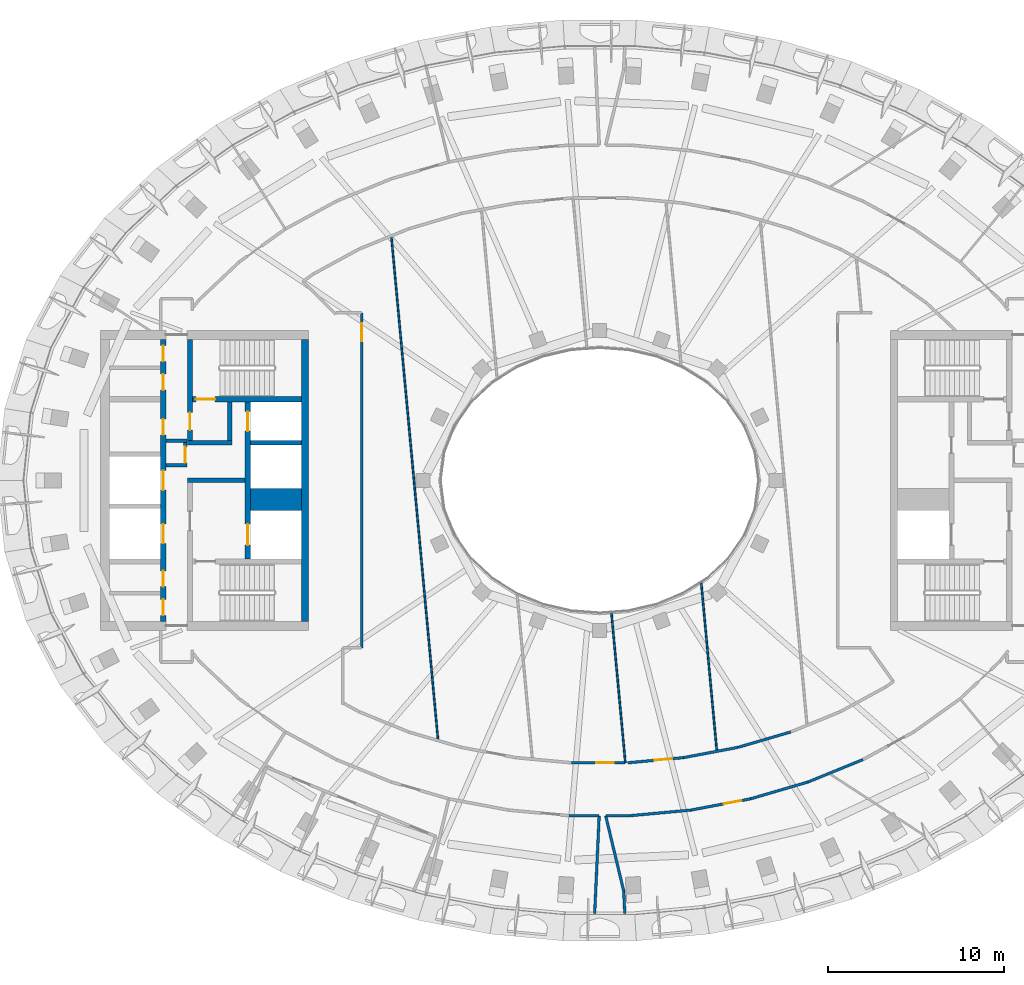
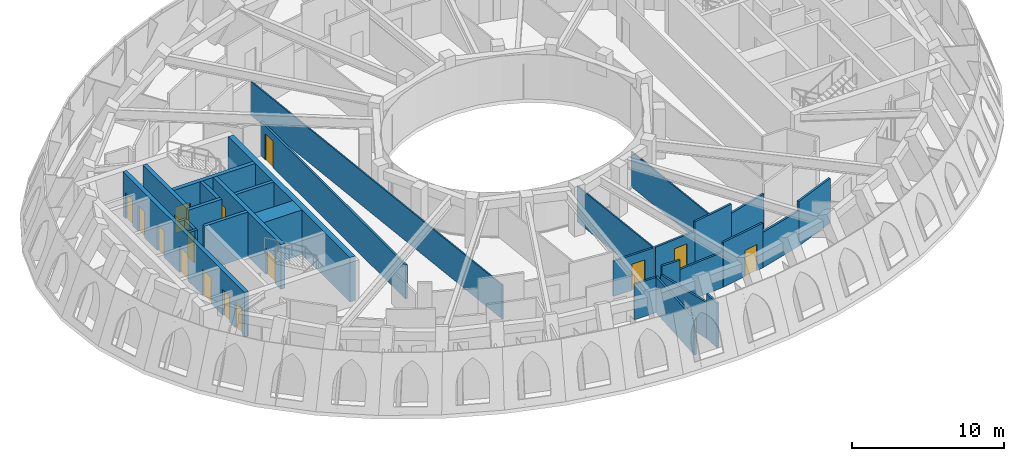
# One storey, part 4 of 14: 30 walls, 16 doors, 16 openings.
"""IFC4 building model written with IfcOpenShell, lengths in metres."""

from ifc_helpers import new_model, si_unit, direction, frame, frame_2d, origin, place, context, subcontext, project, spatial, rectangle, extrude, material, layer, layer_set, type_object, element, fill, save


model = new_model("IFC4")

# Units and contexts
model_context = context("Model", 3, precision=1e-05, world=origin(), true_north=direction((0.0, 1.0)))
body_context = subcontext(model_context, "Body", "Model", "MODEL_VIEW")
ifc_project = project(units=[si_unit("LENGTHUNIT", "METRE"), si_unit("AREAUNIT", "SQUARE_METRE"), si_unit("VOLUMEUNIT", "CUBIC_METRE"), si_unit("PLANEANGLEUNIT", "RADIAN"), si_unit("MASSUNIT", "GRAM", prefix="KILO")], contexts=[model_context])

# Site, building, storey
site_placement = place(None, origin())
site = spatial("IfcSite", under=ifc_project, at=site_placement, CompositionType="ELEMENT")
building_placement = place(site_placement, origin())
building = spatial("IfcBuilding", under=site, at=building_placement, Name="Noorbagh Ring Tower", CompositionType="ELEMENT")
storey_placement = place(building_placement, frame((0.0, 0.0, 343.0)))
storey = spatial("IfcBuildingStorey", under=building, at=storey_placement, Name="L75", CompositionType="ELEMENT", Elevation=343.0)

# Walls
ifc_material_1 = material(Name="Gypsum board on steel studs", Category="steel")
ifc_layer_1 = layer(ifc_material_1, 0.199951171875)
ifc_layer_set_1 = layer_set([ifc_layer_1], Name="Gypsum board on steel studs")
wall_type_1 = type_object("IfcWallType", Name="CORE-PARTITION-200", PredefinedType="PARTITIONING", material=ifc_layer_set_1)
for number, where, z_axis, x_axis, name in (
    (1, (-23.39990234375, 0.85009765625, 0.0), (0.0, 0.0, 1.0), (-1.0, 0.0, 0.0), "Core partition W"),
    (2, (-23.39990234375, 2.25, 0.0), (0.0, 0.0, 1.0), (-1.0, 0.0, 0.0), "Core partition W"),
):
    element("IfcWall", number, at=place(storey_placement, frame(where, z_axis=z_axis, x_axis=x_axis)), inside=storey, type_object=wall_type_1, Name=name, PredefinedType="PARTITIONING", context=body_context, shape_type="SweptSolid", body=[
        extrude(rectangle(XDim=1.2001953125, YDim=0.199951171875, at=frame_2d((0.60009765625, 0.0))), origin(), (0.0, 0.0, 1.0), 2.780029296875),
    ])

# Wall, opening, door
wall_1_placement = place(storey_placement, frame((-23.5, 0.75, 0.0), z_axis=(0.0, 0.0, 1.0), x_axis=(0.0, 1.0, 0.0)))
wall_1 = element("IfcWall", 3, at=wall_1_placement, inside=storey, type_object=wall_type_1, Name="Core partition W", PredefinedType="PARTITIONING", context=body_context, shape_type="SweptSolid", body=[
    extrude(rectangle(XDim=1.60009765625, YDim=0.199951171875, at=frame_2d((0.800048828125, 0.0))), origin(), (0.0, 0.0, 1.0), 2.780029296875),
])
opening_1_placement = place(wall_1_placement, frame((0.25, 0.0, 0.0)))
opening_1 = element("IfcOpeningElement", 4, at=opening_1_placement, cuts=wall_1, Name="Opening L75-CW16", PredefinedType="OPENING", context=body_context, shape_type="SweptSolid", body=[
    extrude(rectangle(XDim=0.89990234375, YDim=2.10009765625, at=frame_2d((0.449951171875, 1.050048828125))), frame((0.0, 0.10986328125, 0.0), z_axis=(0.0, -1.0, 0.0), x_axis=(1.0, 0.0, 0.0)), (0.0, 0.0, 1.0), 0.219970703125),
])
ifc_material_2 = material(Name="Steel door leaf", Category="steel")
door_type_1 = type_object("IfcDoorType", Name="CORE-DOOR-DROOM", OperationType="SINGLE_SWING_LEFT", PredefinedType="DOOR", material=ifc_material_2)
door_1_placement = place(opening_1_placement, origin())
door_1 = element("IfcDoor", 5, at=door_1_placement, inside=storey, type_object=door_type_1, Name="Core room door L75-CW16", OperationType="SINGLE_SWING_RIGHT", OverallHeight=2.10009765625, OverallWidth=0.89990234375, PredefinedType="DOOR", context=body_context, shape_type="SweptSolid", body=[
    extrude(rectangle(XDim=0.89990234375, YDim=2.10009765625, at=frame_2d((0.449951171875, 1.050048828125))), frame((0.0, 0.02490234375, 0.0), z_axis=(0.0, -1.0, 0.0), x_axis=(1.0, 0.0, 0.0)), (0.0, 0.0, 1.0), 0.050048828125),
])
fill(opening_1, door_1)

# Walls
ifc_material_3 = material(Name="Concrete C50/60", Category="concrete")
ifc_layer_2 = layer(ifc_material_3, 1.25)
ifc_layer_set_2 = layer_set([ifc_layer_2], Name="Concrete C50/60")
wall_type_2 = type_object("IfcWallType", Name="CORE-WALL-1250-C50-60-EI120", PredefinedType="SHEAR", material=ifc_layer_set_2)
wall_2_placement = place(storey_placement, frame((-16.89990234375, -1.074951171875, 0.0), z_axis=(0.0, 0.0, 1.0), x_axis=(-1.0, 0.0, 0.0)))
element("IfcWall", 6, at=wall_2_placement, inside=storey, type_object=wall_type_2, Name="Core wall W", PredefinedType="SHEAR", context=body_context, shape_type="SweptSolid", body=[
    extrude(rectangle(XDim=2.900146484375, YDim=1.25, at=frame_2d((1.4501953125, 0.0))), origin(), (0.0, 0.0, 1.0), 3.580078125),
])
ifc_material_4 = material(Name="Concrete C50/60", Category="concrete")
ifc_layer_3 = layer(ifc_material_4, 0.25)
ifc_layer_set_3 = layer_set([ifc_layer_3], Name="Concrete C50/60")
wall_type_3 = type_object("IfcWallType", Name="CORE-WALL-250-C50-60-EI120", PredefinedType="SHEAR", material=ifc_layer_set_3)
wall_3_placement = place(storey_placement, frame((-16.89990234375, 2.125, 0.0), z_axis=(0.0, 0.0, 1.0), x_axis=(-1.0, 0.0, 0.0)))
element("IfcWall", 7, at=wall_3_placement, inside=storey, type_object=wall_type_3, Name="Core wall W", PredefinedType="SHEAR", context=body_context, shape_type="SweptSolid", body=[
    extrude(rectangle(XDim=2.900146484375, YDim=0.25, at=frame_2d((1.4501953125, 0.0))), origin(), (0.0, 0.0, 1.0), 3.580078125),
])
ifc_material_5 = material(Name="Concrete C50/60", Category="concrete")
ifc_layer_4 = layer(ifc_material_5, 0.25)
ifc_layer_set_4 = layer_set([ifc_layer_4], Name="Concrete C50/60")
wall_type_4 = type_object("IfcWallType", Name="CORE-WALL-250-C50-60-EI240", PredefinedType="SHEAR", material=ifc_layer_set_4)
wall_4_placement = place(storey_placement, frame((-20.10009765625, 0.0, 0.0), z_axis=(0.0, 0.0, 1.0), x_axis=(-1.0, 0.0, 0.0)))
element("IfcWall", 8, at=wall_4_placement, inside=storey, type_object=wall_type_4, Name="Core wall W", PredefinedType="SHEAR", context=body_context, shape_type="SweptSolid", body=[
    extrude(rectangle(XDim=3.27978515625, YDim=0.25, at=frame_2d((1.639892578125, 0.0))), origin(), (0.0, 0.0, 1.0), 3.580078125),
])
wall_5_placement = place(storey_placement, frame((-20.85009765625, 2.125, 0.0), z_axis=(0.0, 0.0, 1.0), x_axis=(-1.0, 0.0, 0.0)))
element("IfcWall", 9, at=wall_5_placement, inside=storey, type_object=wall_type_4, Name="Core wall W", PredefinedType="SHEAR", context=body_context, shape_type="SweptSolid", body=[
    extrude(rectangle(XDim=2.52978515625, YDim=0.25, at=frame_2d((1.264892578125, 0.0))), origin(), (0.0, 0.0, 1.0), 3.580078125),
])
wall_6_placement = place(storey_placement, frame((-20.97509765625, 2.25, 0.0), z_axis=(0.0, 0.0, 1.0), x_axis=(0.0, 1.0, 0.0)))
element("IfcWall", 10, at=wall_6_placement, inside=storey, type_object=wall_type_4, Name="Core wall W", PredefinedType="SHEAR", context=body_context, shape_type="SweptSolid", body=[
    extrude(rectangle(XDim=2.199951171875, YDim=0.25, at=frame_2d((1.10009765625, 0.0))), origin(), (0.0, 0.0, 1.0), 3.580078125),
])

# Wall, openings, doors
ifc_material_6 = material(Name="Concrete C50/60", Category="concrete")
ifc_layer_5 = layer(ifc_material_6, 0.300048828125)
ifc_layer_set_5 = layer_set([ifc_layer_5], Name="Concrete C50/60")
wall_type_5 = type_object("IfcWallType", Name="CORE-WALL-300-C50-60-EI120", PredefinedType="SHEAR", material=ifc_layer_set_5)
wall_7_placement = place(storey_placement, frame((-19.949951171875, -4.449951171875, 0.0), z_axis=(0.0, 0.0, 1.0), x_axis=(0.0, 1.0, 0.0)))
wall_7 = element("IfcWall", 11, at=wall_7_placement, inside=storey, type_object=wall_type_5, Name="Core wall W", PredefinedType="SHEAR", context=body_context, shape_type="SweptSolid", body=[
    extrude(rectangle(XDim=8.89990234375, YDim=0.300048828125, at=frame_2d((4.449951171875, 0.0))), origin(), (0.0, 0.0, 1.0), 3.580078125),
])
opening_2_placement = place(wall_7_placement, frame((0.77490234375, 0.0, 0.0)))
opening_2 = element("IfcOpeningElement", 12, at=opening_2_placement, cuts=wall_7, Name="Opening L75-CW01", PredefinedType="OPENING", context=body_context, shape_type="SweptSolid", body=[
    extrude(rectangle(XDim=1.199951171875, YDim=2.10009765625, at=frame_2d((0.60009765625, 1.050048828125))), frame((0.0, 0.16015625, 0.0), z_axis=(0.0, -1.0, 0.0), x_axis=(1.0, 0.0, 0.0)), (0.0, 0.0, 1.0), 0.320068359375),
])
opening_3_placement = place(wall_7_placement, frame((7.25, 0.0, 0.0)))
opening_3 = element("IfcOpeningElement", 13, at=opening_3_placement, cuts=wall_7, Name="Opening L75-CW02", PredefinedType="OPENING", context=body_context, shape_type="SweptSolid", body=[
    extrude(rectangle(XDim=1.10009765625, YDim=2.10009765625, at=frame_2d((0.550048828125, 1.050048828125))), frame((0.0, 0.16015625, 0.0), z_axis=(0.0, -1.0, 0.0), x_axis=(1.0, 0.0, 0.0)), (0.0, 0.0, 1.0), 0.320068359375),
])
ifc_material_7 = material(Name="Steel door leaf", Category="steel")
door_type_2 = type_object("IfcDoorType", Name="CORE-DOOR-LD", OperationType="DOUBLE_DOOR_SLIDING", PredefinedType="DOOR", material=ifc_material_7)
door_2_placement = place(opening_3_placement, origin())
door_2 = element("IfcDoor", 14, at=door_2_placement, inside=storey, type_object=door_type_2, Name="Landing door HR1 L75-CW02", OperationType="DOUBLE_DOOR_SLIDING", OverallHeight=2.10009765625, OverallWidth=1.10009765625, PredefinedType="DOOR", context=body_context, shape_type="SweptSolid", body=[
    extrude(rectangle(XDim=1.10009765625, YDim=2.10009765625, at=frame_2d((0.550048828125, 1.050048828125))), frame((0.0, 0.02490234375, 0.0), z_axis=(0.0, -1.0, 0.0), x_axis=(1.0, 0.0, 0.0)), (0.0, 0.0, 1.0), 0.050048828125),
])
fill(opening_3, door_2)
ifc_material_8 = material(Name="Steel door leaf", Category="steel")
door_type_3 = type_object("IfcDoorType", Name="CORE-DOOR-LDW", OperationType="DOUBLE_DOOR_SLIDING", PredefinedType="DOOR", material=ifc_material_8)
door_3_placement = place(opening_2_placement, origin())
door_3 = element("IfcDoor", 15, at=door_3_placement, inside=storey, type_object=door_type_3, Name="Landing door FF1 L75-CW01", OperationType="DOUBLE_DOOR_SLIDING", OverallHeight=2.10009765625, OverallWidth=1.199951171875, PredefinedType="DOOR", context=body_context, shape_type="SweptSolid", body=[
    extrude(rectangle(XDim=1.199951171875, YDim=2.10009765625, at=frame_2d((0.60009765625, 1.050048828125))), frame((0.0, 0.02490234375, 0.0), z_axis=(0.0, -1.0, 0.0), x_axis=(1.0, 0.0, 0.0)), (0.0, 0.0, 1.0), 0.050048828125),
])
fill(opening_2, door_3)

wall_8_placement = place(storey_placement, frame((-24.75, -8.0, 0.0), z_axis=(0.0, 0.0, 1.0), x_axis=(0.0, 1.0, 0.0)))
wall_8 = element("IfcWall", 16, at=wall_8_placement, inside=storey, type_object=wall_type_5, Name="Core wall W", PredefinedType="SHEAR", context=body_context, shape_type="SweptSolid", body=[
    extrude(rectangle(XDim=16.0, YDim=0.300048828125, at=frame_2d((8.0, 0.0))), origin(), (0.0, 0.0, 1.0), 3.580078125),
])
opening_4_placement = place(wall_8_placement, frame((4.425048828125, 0.0, 0.0)))
opening_4 = element("IfcOpeningElement", 17, at=opening_4_placement, cuts=wall_8, Name="Opening L75-CW03", PredefinedType="OPENING", context=body_context, shape_type="SweptSolid", body=[
    extrude(rectangle(XDim=1.10009765625, YDim=2.10009765625, at=frame_2d((0.550048828125, 1.050048828125))), frame((0.0, 0.16015625, 0.0), z_axis=(0.0, -1.0, 0.0), x_axis=(1.0, 0.0, 0.0)), (0.0, 0.0, 1.0), 0.320068359375),
])
opening_5_placement = place(wall_8_placement, frame((7.449951171875, 0.0, 0.0)))
opening_5 = element("IfcOpeningElement", 18, at=opening_5_placement, cuts=wall_8, Name="Opening L75-CW04", PredefinedType="OPENING", context=body_context, shape_type="SweptSolid", body=[
    extrude(rectangle(XDim=1.10009765625, YDim=2.10009765625, at=frame_2d((0.550048828125, 1.050048828125))), frame((0.0, 0.16015625, 0.0), z_axis=(0.0, -1.0, 0.0), x_axis=(1.0, 0.0, 0.0)), (0.0, 0.0, 1.0), 0.320068359375),
])
opening_6_placement = place(wall_8_placement, frame((10.574951171875, 0.0, 0.0)))
opening_6 = element("IfcOpeningElement", 19, at=opening_6_placement, cuts=wall_8, Name="Opening L75-CW11", PredefinedType="OPENING", context=body_context, shape_type="SweptSolid", body=[
    extrude(rectangle(XDim=0.89990234375, YDim=2.10009765625, at=frame_2d((0.449951171875, 1.050048828125))), frame((0.0, 0.16015625, 0.0), z_axis=(0.0, -1.0, 0.0), x_axis=(1.0, 0.0, 0.0)), (0.0, 0.0, 1.0), 0.320068359375),
])
opening_7_placement = place(wall_8_placement, frame((13.125, 0.0, 0.0)))
opening_7 = element("IfcOpeningElement", 20, at=opening_7_placement, cuts=wall_8, Name="Opening L75-CW12", PredefinedType="OPENING", context=body_context, shape_type="SweptSolid", body=[
    extrude(rectangle(XDim=0.89990234375, YDim=2.10009765625, at=frame_2d((0.449951171875, 1.050048828125))), frame((0.0, 0.16015625, 0.0), z_axis=(0.0, -1.0, 0.0), x_axis=(1.0, 0.0, 0.0)), (0.0, 0.0, 1.0), 0.320068359375),
])
opening_8_placement = place(wall_8_placement, frame((14.75, 0.0, 0.0)))
opening_8 = element("IfcOpeningElement", 21, at=opening_8_placement, cuts=wall_8, Name="Opening L75-CW13", PredefinedType="OPENING", context=body_context, shape_type="SweptSolid", body=[
    extrude(rectangle(XDim=0.89990234375, YDim=2.10009765625, at=frame_2d((0.449951171875, 1.050048828125))), frame((0.0, 0.16015625, 0.0), z_axis=(0.0, -1.0, 0.0), x_axis=(1.0, 0.0, 0.0)), (0.0, 0.0, 1.0), 0.320068359375),
])
opening_9_placement = place(wall_8_placement, frame((1.97509765625, 0.0, 0.0)))
opening_9 = element("IfcOpeningElement", 22, at=opening_9_placement, cuts=wall_8, Name="Opening L75-CW14", PredefinedType="OPENING", context=body_context, shape_type="SweptSolid", body=[
    extrude(rectangle(XDim=0.89990234375, YDim=2.10009765625, at=frame_2d((0.449951171875, 1.050048828125))), frame((0.0, 0.16015625, 0.0), z_axis=(0.0, -1.0, 0.0), x_axis=(1.0, 0.0, 0.0)), (0.0, 0.0, 1.0), 0.320068359375),
])
opening_10_placement = place(wall_8_placement, frame((0.35009765625, 0.0, 0.0)))
opening_10 = element("IfcOpeningElement", 23, at=opening_10_placement, cuts=wall_8, Name="Opening L75-CW15", PredefinedType="OPENING", context=body_context, shape_type="SweptSolid", body=[
    extrude(rectangle(XDim=0.89990234375, YDim=2.10009765625, at=frame_2d((0.449951171875, 1.050048828125))), frame((0.0, 0.16015625, 0.0), z_axis=(0.0, -1.0, 0.0), x_axis=(1.0, 0.0, 0.0)), (0.0, 0.0, 1.0), 0.320068359375),
])
door_4_placement = place(opening_6_placement, origin())
door_4 = element("IfcDoor", 24, at=door_4_placement, inside=storey, type_object=door_type_1, Name="Core room door L75-CW11", OperationType="SINGLE_SWING_RIGHT", OverallHeight=2.10009765625, OverallWidth=0.89990234375, PredefinedType="DOOR", context=body_context, shape_type="SweptSolid", body=[
    extrude(rectangle(XDim=0.89990234375, YDim=2.10009765625, at=frame_2d((0.449951171875, 1.050048828125))), frame((0.0, 0.02490234375, 0.0), z_axis=(0.0, -1.0, 0.0), x_axis=(1.0, 0.0, 0.0)), (0.0, 0.0, 1.0), 0.050048828125),
])
fill(opening_6, door_4)
door_5_placement = place(opening_7_placement, origin())
door_5 = element("IfcDoor", 25, at=door_5_placement, inside=storey, type_object=door_type_1, Name="Core room door L75-CW12", OperationType="SINGLE_SWING_LEFT", OverallHeight=2.10009765625, OverallWidth=0.89990234375, PredefinedType="DOOR", context=body_context, shape_type="SweptSolid", body=[
    extrude(rectangle(XDim=0.89990234375, YDim=2.10009765625, at=frame_2d((0.449951171875, 1.050048828125))), frame((0.0, 0.02490234375, 0.0), z_axis=(0.0, -1.0, 0.0), x_axis=(1.0, 0.0, 0.0)), (0.0, 0.0, 1.0), 0.050048828125),
])
fill(opening_7, door_5)
door_6_placement = place(opening_8_placement, origin())
door_6 = element("IfcDoor", 26, at=door_6_placement, inside=storey, type_object=door_type_1, Name="Core room door L75-CW13", OperationType="SINGLE_SWING_RIGHT", OverallHeight=2.10009765625, OverallWidth=0.89990234375, PredefinedType="DOOR", context=body_context, shape_type="SweptSolid", body=[
    extrude(rectangle(XDim=0.89990234375, YDim=2.10009765625, at=frame_2d((0.449951171875, 1.050048828125))), frame((0.0, 0.02490234375, 0.0), z_axis=(0.0, -1.0, 0.0), x_axis=(1.0, 0.0, 0.0)), (0.0, 0.0, 1.0), 0.050048828125),
])
fill(opening_8, door_6)
door_7_placement = place(opening_9_placement, origin())
door_7 = element("IfcDoor", 27, at=door_7_placement, inside=storey, type_object=door_type_1, Name="Core room door L75-CW14", OperationType="SINGLE_SWING_RIGHT", OverallHeight=2.10009765625, OverallWidth=0.89990234375, PredefinedType="DOOR", context=body_context, shape_type="SweptSolid", body=[
    extrude(rectangle(XDim=0.89990234375, YDim=2.10009765625, at=frame_2d((0.449951171875, 1.050048828125))), frame((0.0, 0.02490234375, 0.0), z_axis=(0.0, -1.0, 0.0), x_axis=(1.0, 0.0, 0.0)), (0.0, 0.0, 1.0), 0.050048828125),
])
fill(opening_9, door_7)
door_8_placement = place(opening_10_placement, origin())
door_8 = element("IfcDoor", 28, at=door_8_placement, inside=storey, type_object=door_type_1, Name="Core room door L75-CW15", OperationType="SINGLE_SWING_LEFT", OverallHeight=2.10009765625, OverallWidth=0.89990234375, PredefinedType="DOOR", context=body_context, shape_type="SweptSolid", body=[
    extrude(rectangle(XDim=0.89990234375, YDim=2.10009765625, at=frame_2d((0.449951171875, 1.050048828125))), frame((0.0, 0.02490234375, 0.0), z_axis=(0.0, -1.0, 0.0), x_axis=(1.0, 0.0, 0.0)), (0.0, 0.0, 1.0), 0.050048828125),
])
fill(opening_10, door_8)
door_9_placement = place(opening_4_placement, origin())
door_9 = element("IfcDoor", 29, at=door_9_placement, inside=storey, type_object=door_type_2, Name="Landing door HR5 L75-CW03", OperationType="DOUBLE_DOOR_SLIDING", OverallHeight=2.10009765625, OverallWidth=1.10009765625, PredefinedType="DOOR", context=body_context, shape_type="SweptSolid", body=[
    extrude(rectangle(XDim=1.10009765625, YDim=2.10009765625, at=frame_2d((0.550048828125, 1.050048828125))), frame((0.0, 0.02490234375, 0.0), z_axis=(0.0, -1.0, 0.0), x_axis=(1.0, 0.0, 0.0)), (0.0, 0.0, 1.0), 0.050048828125),
])
fill(opening_4, door_9)
door_10_placement = place(opening_5_placement, origin())
door_10 = element("IfcDoor", 30, at=door_10_placement, inside=storey, type_object=door_type_2, Name="Landing door HR6 L75-CW04", OperationType="DOUBLE_DOOR_SLIDING", OverallHeight=2.10009765625, OverallWidth=1.10009765625, PredefinedType="DOOR", context=body_context, shape_type="SweptSolid", body=[
    extrude(rectangle(XDim=1.10009765625, YDim=2.10009765625, at=frame_2d((0.550048828125, 1.050048828125))), frame((0.0, 0.02490234375, 0.0), z_axis=(0.0, -1.0, 0.0), x_axis=(1.0, 0.0, 0.0)), (0.0, 0.0, 1.0), 0.050048828125),
])
fill(opening_5, door_10)

# Wall, opening, door
ifc_material_9 = material(Name="Concrete C50/60", Category="concrete")
ifc_layer_6 = layer(ifc_material_9, 0.300048828125)
ifc_layer_set_6 = layer_set([ifc_layer_6], Name="Concrete C50/60")
wall_type_6 = type_object("IfcWallType", Name="CORE-WALL-300-C50-60-EI240", PredefinedType="SHEAR", material=ifc_layer_set_6)
wall_9_placement = place(storey_placement, frame((-23.22998046875, 2.25, 0.0), z_axis=(0.0, 0.0, 1.0), x_axis=(0.0, 1.0, 0.0)))
wall_9 = element("IfcWall", 31, at=wall_9_placement, inside=storey, type_object=wall_type_6, Name="Core wall W", PredefinedType="SHEAR", context=body_context, shape_type="SweptSolid", body=[
    extrude(rectangle(XDim=5.75, YDim=0.300048828125, at=frame_2d((2.875, 0.0))), origin(), (0.0, 0.0, 1.0), 3.580078125),
])
opening_11_placement = place(wall_9_placement, frame((0.60009765625, 0.0, 0.0)))
opening_11 = element("IfcOpeningElement", 32, at=opening_11_placement, cuts=wall_9, Name="Opening L75-CW08", PredefinedType="OPENING", context=body_context, shape_type="SweptSolid", body=[
    extrude(rectangle(XDim=1.0, YDim=2.10009765625, at=frame_2d((0.5, 1.050048828125))), frame((0.0, 0.16015625, 0.0), z_axis=(0.0, -1.0, 0.0), x_axis=(1.0, 0.0, 0.0)), (0.0, 0.0, 1.0), 0.320068359375),
])
ifc_material_10 = material(Name="Steel door leaf", Category="steel")
door_type_4 = type_object("IfcDoorType", Name="CORE-DOOR-DVEST", OperationType="SINGLE_SWING_LEFT", PredefinedType="DOOR", material=ifc_material_10)
door_11_placement = place(opening_11_placement, origin())
door_11 = element("IfcDoor", 33, at=door_11_placement, inside=storey, type_object=door_type_4, Name="Stair vestibule door L75-CW08", OperationType="SINGLE_SWING_LEFT", OverallHeight=2.10009765625, OverallWidth=1.0, PredefinedType="DOOR", context=body_context, shape_type="SweptSolid", body=[
    extrude(rectangle(XDim=1.0, YDim=2.10009765625, at=frame_2d((0.5, 1.050048828125))), frame((0.0, 0.02490234375, 0.0), z_axis=(0.0, -1.0, 0.0), x_axis=(1.0, 0.0, 0.0)), (0.0, 0.0, 1.0), 0.050048828125),
])
fill(opening_11, door_11)

wall_10_placement = place(storey_placement, frame((-16.89990234375, 4.60009765625, 0.0), z_axis=(0.0, 0.0, 1.0), x_axis=(-1.0, 0.0, 0.0)))
wall_10 = element("IfcWall", 34, at=wall_10_placement, inside=storey, type_object=wall_type_6, Name="Core wall W", PredefinedType="SHEAR", context=body_context, shape_type="SweptSolid", body=[
    extrude(rectangle(XDim=6.18017578125, YDim=0.300048828125, at=frame_2d((3.090087890625, 0.0))), origin(), (0.0, 0.0, 1.0), 3.580078125),
])
opening_12_placement = place(wall_10_placement, frame((4.89990234375, 0.0, 0.0)))
opening_12 = element("IfcOpeningElement", 35, at=opening_12_placement, cuts=wall_10, Name="Opening L75-CW05", PredefinedType="OPENING", context=body_context, shape_type="SweptSolid", body=[
    extrude(rectangle(XDim=1.10009765625, YDim=2.10009765625, at=frame_2d((0.550048828125, 1.050048828125))), frame((0.0, 0.16015625, 0.0), z_axis=(0.0, -1.0, 0.0), x_axis=(1.0, 0.0, 0.0)), (0.0, 0.0, 1.0), 0.320068359375),
])
ifc_material_11 = material(Name="Steel door leaf", Category="steel")
door_type_5 = type_object("IfcDoorType", Name="CORE-DOOR-DSTAIR", OperationType="SINGLE_SWING_LEFT", PredefinedType="DOOR", material=ifc_material_11)
door_12_placement = place(opening_12_placement, origin())
door_12 = element("IfcDoor", 36, at=door_12_placement, inside=storey, type_object=door_type_5, Name="Stair door ST1 L75-CW05", OperationType="SINGLE_SWING_RIGHT", OverallHeight=2.10009765625, OverallWidth=1.10009765625, PredefinedType="DOOR", context=body_context, shape_type="SweptSolid", body=[
    extrude(rectangle(XDim=1.10009765625, YDim=2.10009765625, at=frame_2d((0.550048828125, 1.050048828125))), frame((0.0, 0.02490234375, 0.0), z_axis=(0.0, -1.0, 0.0), x_axis=(1.0, 0.0, 0.0)), (0.0, 0.0, 1.0), 0.050048828125),
])
fill(opening_12, door_12)

# Wall
ifc_material_12 = material(Name="Concrete C50/60", Category="concrete")
ifc_layer_7 = layer(ifc_material_12, 0.39990234375)
ifc_layer_set_7 = layer_set([ifc_layer_7], Name="Concrete C50/60")
wall_type_7 = type_object("IfcWallType", Name="CORE-WALL-400-C50-60-EI240", PredefinedType="SHEAR", material=ifc_layer_set_7)
wall_11_placement = place(storey_placement, frame((-16.699951171875, -8.0, 0.0), z_axis=(0.0, 0.0, 1.0), x_axis=(0.0, 1.0, 0.0)))
element("IfcWall", 37, at=wall_11_placement, inside=storey, type_object=wall_type_7, Name="Core wall W", PredefinedType="SHEAR", context=body_context, shape_type="SweptSolid", body=[
    extrude(rectangle(XDim=16.0, YDim=0.39990234375, at=frame_2d((8.0, 0.0))), origin(), (0.0, 0.0, 1.0), 3.580078125),
])

# Wall, opening, door
ifc_material_13 = material(Name="Gypsum board on steel studs", Category="steel")
ifc_layer_8 = layer(ifc_material_13, 0.14990234375)
ifc_layer_set_8 = layer_set([ifc_layer_8], Name="Gypsum board on steel studs")
wall_type_8 = type_object("IfcWallType", Name="CORRIDOR PARTITION 150 EI 30", PredefinedType="PARTITIONING", material=ifc_layer_set_8)
wall_12_placement = place(storey_placement, frame((-13.5, -9.5, 0.0), z_axis=(0.0, 0.0, 1.0), x_axis=(0.0, 1.0, 0.0)))
wall_12 = element("IfcWall", 38, at=wall_12_placement, inside=storey, type_object=wall_type_8, Name="L75/wall/P33", PredefinedType="PARTITIONING", context=body_context, shape_type="SweptSolid", body=[
    extrude(rectangle(XDim=19.0, YDim=0.14990234375, at=frame_2d((9.5, 0.0))), origin(), (0.0, 0.0, 1.0), 2.72998046875),
])
opening_13_placement = place(wall_12_placement, frame((17.39990234375, 0.0, 0.0)))
opening_13 = element("IfcOpeningElement", 39, at=opening_13_placement, cuts=wall_12, Name="Opening D1", PredefinedType="OPENING", context=body_context, shape_type="SweptSolid", body=[
    extrude(rectangle(XDim=1.0, YDim=2.10009765625, at=frame_2d((0.5, 1.050048828125))), frame((0.0, 0.0849609375, 0.0), z_axis=(0.0, -1.0, 0.0), x_axis=(1.0, 0.0, 0.0)), (0.0, 0.0, 1.0), 0.169921875),
])
ifc_material_14 = material(Name="Timber, painted", Category="wood")
door_type_6 = type_object("IfcDoorType", Name="DOOR 1000 X 2100 FD30", OperationType="SINGLE_SWING_LEFT", PredefinedType="DOOR", material=ifc_material_14)
door_13_placement = place(opening_13_placement, origin())
door_13 = element("IfcDoor", 40, at=door_13_placement, inside=storey, type_object=door_type_6, Name="L75-D16", OperationType="SINGLE_SWING_RIGHT", OverallHeight=2.10009765625, OverallWidth=1.0, PredefinedType="DOOR", context=body_context, shape_type="SweptSolid", body=[
    extrude(rectangle(XDim=1.0, YDim=2.10009765625, at=frame_2d((0.5, 1.050048828125))), frame((0.0, 0.02490234375, 0.0), z_axis=(0.0, -1.0, 0.0), x_axis=(1.0, 0.0, 0.0)), (0.0, 0.0, 1.0), 0.050048828125),
])
fill(opening_13, door_13)

# Wall
wall_13_placement = place(storey_placement, frame((-1.73095703125, -19.014892578125, 0.0), z_axis=(0.0, 0.0, 1.0), x_axis=(1.0, 0.0, 0.0)))
element("IfcWall", 41, at=wall_13_placement, inside=storey, type_object=wall_type_8, Name="L75/wall/P52", PredefinedType="PARTITIONING", context=body_context, shape_type="SweptSolid", body=[
    extrude(rectangle(XDim=1.683837890625, YDim=0.14990234375, at=frame_2d((0.841796875, 0.0))), origin(), (0.0, 0.0, 1.0), 2.830078125),
])

# Wall, opening, door
wall_14_placement = place(storey_placement, frame((-1.592041015625, -16.014892578125, 0.0), z_axis=(0.0, 0.0, 1.0), x_axis=(1.0, 0.0, 0.0)))
wall_14 = element("IfcWall", 42, at=wall_14_placement, inside=storey, type_object=wall_type_8, Name="L75/wall/P54", PredefinedType="PARTITIONING", context=body_context, shape_type="SweptSolid", body=[
    extrude(rectangle(XDim=3.028076171875, YDim=0.14990234375, at=frame_2d((1.51416015625, 0.0))), origin(), (0.0, 0.0, 1.0), 2.830078125),
])
opening_14_placement = place(wall_14_placement, frame((1.39794921875, 0.0, 0.0)))
opening_14 = element("IfcOpeningElement", 43, at=opening_14_placement, cuts=wall_14, Name="Opening D1", PredefinedType="OPENING", context=body_context, shape_type="SweptSolid", body=[
    extrude(rectangle(XDim=1.0, YDim=2.10009765625, at=frame_2d((0.5, 1.050048828125))), frame((0.0, 0.0849609375, 0.0), z_axis=(0.0, -1.0, 0.0), x_axis=(1.0, 0.0, 0.0)), (0.0, 0.0, 1.0), 0.169921875),
])
door_14_placement = place(opening_14_placement, origin())
door_14 = element("IfcDoor", 44, at=door_14_placement, inside=storey, type_object=door_type_6, Name="L75-D19", OperationType="SINGLE_SWING_LEFT", OverallHeight=2.10009765625, OverallWidth=1.0, PredefinedType="DOOR", context=body_context, shape_type="SweptSolid", body=[
    extrude(rectangle(XDim=1.0, YDim=2.10009765625, at=frame_2d((0.5, 1.050048828125))), frame((0.0, 0.02490234375, 0.0), z_axis=(0.0, -1.0, 0.0), x_axis=(1.0, 0.0, 0.0)), (0.0, 0.0, 1.0), 0.050048828125),
])
fill(opening_14, door_14)

# Walls
wall_15_placement = place(storey_placement, frame((-0.282958984375, -24.56103515625, 0.0), z_axis=(0.0, 0.0, 1.0), x_axis=(0.046118278127, 0.998935986149, 0.0)))
element("IfcWall", 45, at=wall_15_placement, inside=storey, type_object=wall_type_8, Name="L75/wall/P57", PredefinedType="PARTITIONING", context=body_context, shape_type="SweptSolid", body=[
    extrude(rectangle(XDim=5.5478515625, YDim=0.14990234375, at=frame_2d((2.77392578125, 0.0))), origin(), (0.0, 0.0, 1.0), 2.8798828125),
])
wall_16_placement = place(storey_placement, frame((0.341064453125, -19.014892578125, 0.0), z_axis=(0.0, 0.0, 1.0), x_axis=(0.233078955427, -0.972457814271, 0.0)))
element("IfcWall", 46, at=wall_16_placement, inside=storey, type_object=wall_type_8, Name="L75/wall/P59", PredefinedType="PARTITIONING", context=body_context, shape_type="SweptSolid", body=[
    extrude(rectangle(XDim=4.397216796875, YDim=0.14990234375, at=frame_2d((2.19873046875, 0.0))), origin(), (0.0, 0.0, 1.0), 2.8798828125),
])
wall_17_placement = place(storey_placement, frame((0.35888671875, -19.014892578125, 0.0), z_axis=(0.0, 0.0, 1.0), x_axis=(1.0, 0.0, 0.0)))
element("IfcWall", 47, at=wall_17_placement, inside=storey, type_object=wall_type_8, Name="L75/wall/P61", PredefinedType="PARTITIONING", context=body_context, shape_type="SweptSolid", body=[
    extrude(rectangle(XDim=1.3720703125, YDim=0.14990234375, at=frame_2d((0.68603515625, 0.0))), origin(), (0.0, 0.0, 1.0), 3.580078125),
])
wall_18_placement = place(storey_placement, frame((1.365966796875, -23.291015625, 0.0), z_axis=(0.0, 0.0, 1.0), x_axis=(0.046328125485, -0.998926275953, 0.0)))
element("IfcWall", 48, at=wall_18_placement, inside=storey, type_object=wall_type_8, Name="L75/wall/P64", PredefinedType="PARTITIONING", context=body_context, shape_type="SweptSolid", body=[
    extrude(rectangle(XDim=1.275390625, YDim=0.14990234375, at=frame_2d((0.6376953125, 0.0))), origin(), (0.0, 0.0, 1.0), 3.580078125),
])

# Wall, opening, door
wall_19_placement = place(storey_placement, frame((1.592041015625, -16.014892578125, 0.0), z_axis=(0.0, 0.0, 1.0), x_axis=(0.995734789991, 0.09226173639, 0.0)))
wall_19 = element("IfcWall", 49, at=wall_19_placement, inside=storey, type_object=wall_type_8, Name="L75/wall/P66", PredefinedType="PARTITIONING", context=body_context, shape_type="SweptSolid", body=[
    extrude(rectangle(XDim=3.17529296875, YDim=0.14990234375, at=frame_2d((1.587646484375, 0.0))), origin(), (0.0, 0.0, 1.0), 2.830078125),
])
opening_15_placement = place(wall_19_placement, frame((1.525390625, 0.0, 0.0)))
opening_15 = element("IfcOpeningElement", 50, at=opening_15_placement, cuts=wall_19, Name="Opening D1", PredefinedType="OPENING", context=body_context, shape_type="SweptSolid", body=[
    extrude(rectangle(XDim=1.0, YDim=2.10009765625, at=frame_2d((0.5, 1.050048828125))), frame((0.0, 0.0849609375, 0.0), z_axis=(0.0, -1.0, 0.0), x_axis=(1.0, 0.0, 0.0)), (0.0, 0.0, 1.0), 0.169921875),
])
door_15_placement = place(opening_15_placement, origin())
door_15 = element("IfcDoor", 51, at=door_15_placement, inside=storey, type_object=door_type_6, Name="L75-D21", OperationType="SINGLE_SWING_LEFT", OverallHeight=2.10009765625, OverallWidth=1.0, PredefinedType="DOOR", context=body_context, shape_type="SweptSolid", body=[
    extrude(rectangle(XDim=1.0, YDim=2.10009765625, at=frame_2d((0.5, 1.050048828125))), frame((0.0, 0.02490234375, 0.0), z_axis=(0.0, -1.0, 0.0), x_axis=(1.0, 0.0, 0.0)), (0.0, 0.0, 1.0), 0.050048828125),
])
fill(opening_15, door_15)

# Walls
wall_20_placement = place(storey_placement, frame((1.73095703125, -19.014892578125, 0.0), z_axis=(0.0, 0.0, 1.0), x_axis=(0.995734786984, 0.09226176884, 0.0)))
element("IfcWall", 52, at=wall_20_placement, inside=storey, type_object=wall_type_8, Name="L75/wall/P68", PredefinedType="PARTITIONING", context=body_context, shape_type="SweptSolid", body=[
    extrude(rectangle(XDim=3.455810546875, YDim=0.14990234375, at=frame_2d((1.72802734375, 0.0))), origin(), (0.0, 0.0, 1.0), 2.830078125),
])
wall_21_placement = place(storey_placement, frame((4.75390625, -15.721923828125, 0.0), z_axis=(0.0, 0.0, 1.0), x_axis=(0.982662719518, 0.185402210529, 0.0)))
element("IfcWall", 53, at=wall_21_placement, inside=storey, type_object=wall_type_8, Name="L75/wall/P71", PredefinedType="PARTITIONING", context=body_context, shape_type="SweptSolid", body=[
    extrude(rectangle(XDim=3.14990234375, YDim=0.14990234375, at=frame_2d((1.574951171875, 0.0))), origin(), (0.0, 0.0, 1.0), 3.580078125),
])

# Wall, opening, door
wall_22_placement = place(storey_placement, frame((5.172119140625, -18.696044921875, 0.0), z_axis=(0.0, 0.0, 1.0), x_axis=(0.982681912421, 0.185300456021, 0.0)))
wall_22 = element("IfcWall", 54, at=wall_22_placement, inside=storey, type_object=wall_type_8, Name="L75/wall/P73", PredefinedType="PARTITIONING", context=body_context, shape_type="SweptSolid", body=[
    extrude(rectangle(XDim=3.4375, YDim=0.14990234375, at=frame_2d((1.71875, 0.0))), origin(), (0.0, 0.0, 1.0), 3.580078125),
])
opening_16_placement = place(wall_22_placement, frame((1.89990234375, 0.0, 0.0)))
opening_16 = element("IfcOpeningElement", 55, at=opening_16_placement, cuts=wall_22, Name="Opening D1", PredefinedType="OPENING", context=body_context, shape_type="SweptSolid", body=[
    extrude(rectangle(XDim=1.0, YDim=2.10009765625, at=frame_2d((0.5, 1.050048828125))), frame((0.0, 0.0849609375, 0.0), z_axis=(0.0, -1.0, 0.0), x_axis=(1.0, 0.0, 0.0)), (0.0, 0.0, 1.0), 0.169921875),
])
door_16_placement = place(opening_16_placement, origin())
door_16 = element("IfcDoor", 56, at=door_16_placement, inside=storey, type_object=door_type_6, Name="L75-D10", OperationType="SINGLE_SWING_RIGHT", OverallHeight=2.10009765625, OverallWidth=1.0, PredefinedType="DOOR", context=body_context, shape_type="SweptSolid", body=[
    extrude(rectangle(XDim=1.0, YDim=2.10009765625, at=frame_2d((0.5, 1.050048828125))), frame((0.0, 0.02490234375, 0.0), z_axis=(0.0, -1.0, 0.0), x_axis=(1.0, 0.0, 0.0)), (0.0, 0.0, 1.0), 0.050048828125),
])
fill(opening_16, door_16)

# Walls
wall_23_placement = place(storey_placement, frame((7.84912109375, -15.137939453125, 0.0), z_axis=(0.0, 0.0, 1.0), x_axis=(0.959853665629, 0.280501230976, 0.0)))
element("IfcWall", 57, at=wall_23_placement, inside=storey, type_object=wall_type_8, Name="L75/wall/P76", PredefinedType="PARTITIONING", context=body_context, shape_type="SweptSolid", body=[
    extrude(rectangle(XDim=3.104736328125, YDim=0.14990234375, at=frame_2d((1.55224609375, 0.0))), origin(), (0.0, 0.0, 1.0), 2.830078125),
])
wall_24_placement = place(storey_placement, frame((8.550048828125, -18.05908203125, 0.0), z_axis=(0.0, 0.0, 1.0), x_axis=(0.959795830022, 0.280699064254, 0.0)))
element("IfcWall", 58, at=wall_24_placement, inside=storey, type_object=wall_type_8, Name="L75/wall/P78", PredefinedType="PARTITIONING", context=body_context, shape_type="SweptSolid", body=[
    extrude(rectangle(XDim=3.406005859375, YDim=0.14990234375, at=frame_2d((1.703125, 0.0))), origin(), (0.0, 0.0, 1.0), 2.830078125),
])
wall_25_placement = place(storey_placement, frame((11.819091796875, -17.10302734375, 0.0), z_axis=(0.0, 0.0, 1.0), x_axis=(0.925817550032, 0.377970718511, 0.0)))
element("IfcWall", 59, at=wall_25_placement, inside=storey, type_object=wall_type_8, Name="L75/wall/P83", PredefinedType="PARTITIONING", context=body_context, shape_type="SweptSolid", body=[
    extrude(rectangle(XDim=3.360107421875, YDim=0.14990234375, at=frame_2d((1.68017578125, 0.0))), origin(), (0.0, 0.0, 1.0), 3.580078125),
])
ifc_material_15 = material(Name="Gypsum board on steel studs", Category="steel")
ifc_layer_9 = layer(ifc_material_15, 0.10009765625)
ifc_layer_set_9 = layer_set([ifc_layer_9], Name="Gypsum board on steel studs")
wall_type_9 = type_object("IfcWallType", Name="PARTITION 100 GYPSUM", PredefinedType="PARTITIONING", material=ifc_layer_set_9)
wall_26_placement = place(storey_placement, frame((-11.806884765625, 13.787109375, 0.0), z_axis=(0.0, 0.0, 1.0), x_axis=(0.092269421544, -0.995734077878, 0.0)))
element("IfcWall", 60, at=wall_26_placement, inside=storey, type_object=wall_type_9, Name="L75/wall/P36", PredefinedType="PARTITIONING", context=body_context, shape_type="SweptSolid", body=[
    extrude(rectangle(XDim=28.578857421875, YDim=0.10009765625, at=frame_2d((14.28955078125, 0.0))), origin(), (0.0, 0.0, 1.0), 2.72998046875),
])
wall_27_placement = place(storey_placement, frame((0.6630859375, -7.452880859375, 0.0), z_axis=(0.0, 0.0, 1.0), x_axis=(0.092261840774, -0.995734780319, 0.0)))
element("IfcWall", 61, at=wall_27_placement, inside=storey, type_object=wall_type_9, Name="L75/wall/P63", PredefinedType="PARTITIONING", context=body_context, shape_type="SweptSolid", body=[
    extrude(rectangle(XDim=8.5947265625, YDim=0.10009765625, at=frame_2d((4.29736328125, 0.0))), origin(), (0.0, 0.0, 1.0), 2.8798828125),
])
wall_28_placement = place(storey_placement, frame((5.7548828125, -5.735107421875, 0.0), z_axis=(0.0, 0.0, 1.0), x_axis=(0.092167365052, -0.99574352964, 0.0)))
element("IfcWall", 62, at=wall_28_placement, inside=storey, type_object=wall_type_9, Name="L75/wall/P75", PredefinedType="PARTITIONING", context=body_context, shape_type="SweptSolid", body=[
    extrude(rectangle(XDim=9.591552734375, YDim=0.10009765625, at=frame_2d((4.7958984375, 0.0))), origin(), (0.0, 0.0, 1.0), 2.830078125),
])

save(model, "model.ifc")
